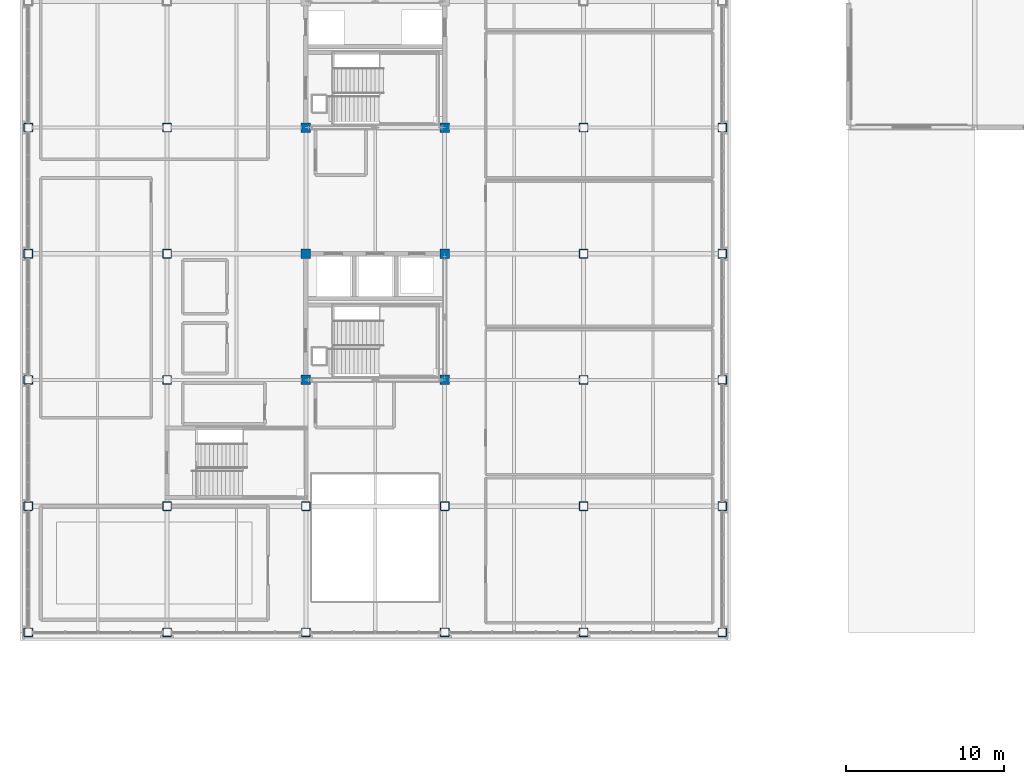
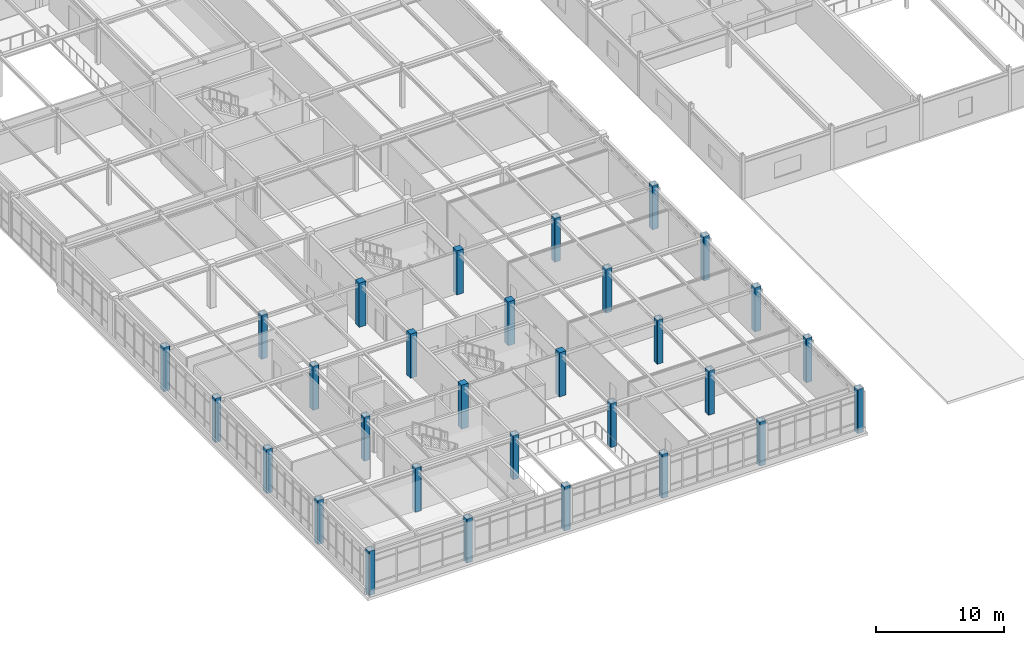
# One storey, part 1 of 88: 30 columns.
"""IFC4 building model written with IfcOpenShell, lengths in metres."""

import ifcopenshell
import ifcopenshell.guid

model = None  # the IFC model being written
_history = None  # IfcOwnerHistory: only IFC2X3 demands one
_inside = {}  # id of a spatial element -> (the spatial element, [elements in it])
_under = {}  # id of a project, library or spatial element -> (it, [spatial elements below it])
_declared = {}  # id of a project -> (the project, [libraries it declares])
_typed = {}  # id of a type object -> (the type object, [elements of that type])
_made_of = {}  # id of a material, layer set ... -> (it, [elements and type objects made of it])


def new_model(schema):
    """Start an empty IFC model of exactly this schema.

    Asked for "IFC4X3", IfcOpenShell would pick the latest addendum, in which some entities
    have other attributes; the version numbers below select the first issue.
    IFC2X3 requires an IfcOwnerHistory on every rooted entity: one is made here for all.
    """
    global model, _history
    if schema == "IFC4X3":
        model = ifcopenshell.file(schema_version=(4, 3, 0, 0))
    else:
        model = ifcopenshell.file(schema=schema)
    _inside.clear()
    _under.clear()
    _declared.clear()
    _typed.clear()
    _made_of.clear()
    _history = None
    if model.schema == "IFC2X3":
        org = make("IfcOrganization", Name="unknown")
        user = make(
            "IfcPersonAndOrganization",
            ThePerson=make("IfcPerson", FamilyName="unknown"),
            TheOrganization=org,
        )
        app = make(
            "IfcApplication",
            ApplicationDeveloper=org,
            Version="unknown",
            ApplicationFullName="unknown",
            ApplicationIdentifier="unknown",
        )
        _history = make(
            "IfcOwnerHistory",
            OwningUser=user,
            OwningApplication=app,
            ChangeAction="ADDED",
            CreationDate=0,
        )
    return model


def make(cls, **values):
    """One entity of the class cls with the attributes given. An attribute that is None is left unset."""
    return model.create_entity(
        cls, **{name: value for name, value in values.items() if value is not None}
    )


def rooted(cls, **values):
    """An entity with a GlobalId (a new one), such as an element, a storey or a relation."""
    return make(cls, GlobalId=ifcopenshell.guid.new(), OwnerHistory=_history, **values)


def si_unit(unit_type, name, prefix=None):
    """IfcSIUnit, for example si_unit("LENGTHUNIT", "METRE", prefix="MILLI")."""
    return make("IfcSIUnit", UnitType=unit_type, Prefix=prefix, Name=name)


def assignment(units):
    """IfcUnitAssignment: the units of a project."""
    return None if units is None else make("IfcUnitAssignment", Units=units)


def point(xyz):
    """IfcCartesianPoint."""
    return None if xyz is None else make("IfcCartesianPoint", Coordinates=xyz)


def direction(xyz):
    """IfcDirection."""
    return None if xyz is None else make("IfcDirection", DirectionRatios=xyz)


def frame(location, z_axis=None, x_axis=None):
    """IfcAxis2Placement3D, a coordinate frame: its origin and axes. An axis left out is left unset."""
    return make(
        "IfcAxis2Placement3D",
        Location=point(location),
        Axis=direction(z_axis),
        RefDirection=direction(x_axis),
    )


def frame_2d(location, x_axis=None):
    """IfcAxis2Placement2D, a coordinate frame in the plane: its origin and x axis."""
    return make(
        "IfcAxis2Placement2D", Location=point(location), RefDirection=direction(x_axis)
    )


def origin():
    """The frame at (0, 0, 0) with its axes left unset."""
    return frame((0.0, 0.0, 0.0))


def origin_2d():
    """The frame at (0, 0) in the plane with its x axis left unset."""
    return frame_2d((0.0, 0.0))


def place(relative_to, where):
    """IfcLocalPlacement: puts the frame where relative to a parent placement (None: the world)."""
    return make(
        "IfcLocalPlacement", PlacementRelTo=relative_to, RelativePlacement=where
    )


def context(
    kind, dimensions, precision=None, world=None, true_north=None, identifier=None
):
    """IfcGeometricRepresentationContext, for example the 3D "Model" context."""
    return make(
        "IfcGeometricRepresentationContext",
        ContextIdentifier=identifier,
        ContextType=kind,
        CoordinateSpaceDimension=dimensions,
        Precision=precision,
        WorldCoordinateSystem=world,
        TrueNorth=true_north,
    )


def subcontext(parent, identifier, kind, view, scale=None):
    """IfcGeometricRepresentationSubContext, for example "Body" below "Model"."""
    return make(
        "IfcGeometricRepresentationSubContext",
        ContextIdentifier=identifier,
        ContextType=kind,
        ParentContext=parent,
        TargetScale=scale,
        TargetView=view,
    )


def project(units=None, contexts=None):
    """IfcProject with its units and contexts."""
    return rooted(
        "IfcProject",
        Name="project",
        RepresentationContexts=contexts,
        UnitsInContext=assignment(units),
    )


def spatial(cls, under=None, at=None, **own):
    """A site, building, storey or space (cls), placed at a placement, below another one or the project."""
    s = rooted(cls, ObjectPlacement=at, **own)
    if under is not None:
        _under.setdefault(under.id(), (under, []))[1].append(s)
    return s


def profile(cls, at=None, kind="AREA", **sizes):
    """A parametric profile (cls). Its sizes go by their IFC names, for example OverallWidth=200.0."""
    return make(cls, ProfileType=kind, Position=at, **sizes)


def rectangle(**sizes):
    """IfcRectangleProfileDef."""
    return profile("IfcRectangleProfileDef", **sizes)


def hollow_rectangle(**sizes):
    """IfcRectangleHollowProfileDef."""
    return profile("IfcRectangleHollowProfileDef", **sizes)


def extrude(swept, where, along, depth):
    """IfcExtrudedAreaSolid: the profile swept, set in the frame where, extruded along a direction by depth."""
    return make(
        "IfcExtrudedAreaSolid",
        SweptArea=swept,
        Position=where,
        ExtrudedDirection=direction(along),
        Depth=depth,
    )


def shape(context_of_items, identifier, shape_type, items):
    """IfcShapeRepresentation: the items that make up one representation, for example the "Body"."""
    return make(
        "IfcShapeRepresentation",
        ContextOfItems=context_of_items,
        RepresentationIdentifier=identifier,
        RepresentationType=shape_type,
        Items=items,
    )


def material(Name=None, Category=None):
    """IfcMaterial."""
    return make("IfcMaterial", Name=Name, Category=Category)


def material_profile(
    of_material, cross_section, Name=None, Category=None, Priority=None
):
    """IfcMaterialProfile: a cross section and its material."""
    return make(
        "IfcMaterialProfile",
        Name=Name,
        Material=of_material,
        Profile=cross_section,
        Priority=Priority,
        Category=Category,
    )


def profile_set(profiles, Name=None, composite=None):
    """IfcMaterialProfileSet."""
    return make(
        "IfcMaterialProfileSet",
        Name=Name,
        MaterialProfiles=profiles,
        CompositeProfile=composite,
    )


def made_of(thing, what):
    """Note that an element or type object is made of a material, layer set ...; save() writes the relation."""
    if what is not None:
        _made_of.setdefault(what.id(), (what, []))[1].append(thing)
    return thing


def type_object(cls, material=None, **own):
    """A type object (cls), such as IfcWallType, which elements share."""
    return made_of(rooted(cls, **own), material)


def element(
    cls,
    number,
    at=None,
    inside=None,
    cuts=None,
    type_object=None,
    material=None,
    context=None,
    identifier="Body",
    shape_type=None,
    held_by="IfcProductDefinitionShape",
    body=None,
    shapes=None,
    **own,
):
    """One element of the class cls, such as IfcWall. Its Tag is "e" and its number.

    at: its placement. inside: the storey or other place that contains it. cuts: it is an
    opening in that element (IfcRelVoidsElement). A single representation is given by context,
    identifier, shape_type and body (its items); several are given by shapes. held_by: the class
    of the entity that holds the representations. save() writes the other relations.
    """
    e = rooted(cls, Tag="e%d" % number, ObjectPlacement=at, **own)
    if body is not None:
        shapes = [shape(context, identifier, shape_type, body)]
    if shapes is not None:
        e.Representation = make(held_by, Representations=shapes)
    if inside is not None:
        _inside.setdefault(inside.id(), (inside, []))[1].append(e)
    if cuts is not None:
        rooted(
            "IfcRelVoidsElement", RelatingBuildingElement=cuts, RelatedOpeningElement=e
        )
    if type_object is not None:
        _typed.setdefault(type_object.id(), (type_object, []))[1].append(e)
    return made_of(e, material)


def aggregate(whole, parts):
    """IfcRelAggregates: a whole, such as a stair, and the parts it consists of."""
    return rooted("IfcRelAggregates", RelatingObject=whole, RelatedObjects=parts)


def save(model, path):
    """Write the relations noted so far, then the file.

    IfcRelAggregates (storeys below a building ...), IfcRelContainedInSpatialStructure (elements
    in a storey), IfcRelDefinesByType, IfcRelAssociatesMaterial and IfcRelDeclares: one each for
    every whole, place, type object, material and project.
    """
    for whole, parts in _under.values():
        aggregate(whole, parts)
    for where, things in _inside.values():
        rooted(
            "IfcRelContainedInSpatialStructure",
            RelatedElements=things,
            RelatingStructure=where,
        )
    for kind, things in _typed.values():
        rooted("IfcRelDefinesByType", RelatedObjects=things, RelatingType=kind)
    for what, things in _made_of.values():
        rooted("IfcRelAssociatesMaterial", RelatedObjects=things, RelatingMaterial=what)
    for by, libraries in _declared.values():
        rooted("IfcRelDeclares", RelatingContext=by, RelatedDefinitions=libraries)
    model.write(path)


model = new_model("IFC4")

# Units and contexts
model_context = context("Model", 3, precision=1e-05, world=origin(), true_north=direction((0.0, 1.0)))
body_context = subcontext(model_context, "Body", "Model", "MODEL_VIEW")
ifc_project = project(units=[si_unit("LENGTHUNIT", "METRE"), si_unit("AREAUNIT", "SQUARE_METRE"), si_unit("VOLUMEUNIT", "CUBIC_METRE"), si_unit("PLANEANGLEUNIT", "RADIAN"), si_unit("MASSUNIT", "GRAM", prefix="KILO")], contexts=[model_context])

# Site, building, storey
site_placement = place(None, origin())
site = spatial("IfcSite", under=ifc_project, at=site_placement, CompositionType="ELEMENT")
building_placement = place(site_placement, origin())
building = spatial("IfcBuilding", under=site, at=building_placement, Name="Zhaolan Boulevard Law Courts", CompositionType="ELEMENT")
storey_placement = place(building_placement, frame((0.0, 0.0, 16.199951171875)))
storey = spatial("IfcBuildingStorey", under=building, at=storey_placement, Name="L03", CompositionType="ELEMENT", Elevation=16.199951171875)

# Columns
ifc_material_1 = material(Name="Structural steel Q390B", Category="steel")
ifc_material_profile_1 = material_profile(ifc_material_1, hollow_rectangle(XDim=0.550048828125, YDim=0.550048828125, WallThickness=0.02197265625, InnerFilletRadius=0.02197265625, OuterFilletRadius=0.0439453125, at=origin_2d()), Name="BOX550x550x22")
ifc_profile_set_1 = profile_set([ifc_material_profile_1], Name="Structural steel Q390B")
column_type_1 = type_object("IfcColumnType", Name="COL BOX550", PredefinedType="COLUMN", material=ifc_profile_set_1)
for number, where, z_axis, x_axis, name in (
    (1, (0.0, 30.0, 0.0), (0.0, 0.0, 1.0), (1.0, 0.0, 0.0), "Column C-1E (L03)"),
    (2, (0.0, 38.0, 0.0), (0.0, 0.0, 1.0), (1.0, 0.0, 0.0), "Column C-1F (L03)"),
    (3, (0.0, 46.0, 0.0), (0.0, 0.0, 1.0), (1.0, 0.0, 0.0), "Column C-1G (L03)"),
    (4, (0.0, 54.0, 0.0), (0.0, 0.0, 1.0), (1.0, 0.0, 0.0), "Column C-1H (L03)"),
    (5, (0.0, 62.0, 0.0), (0.0, 0.0, 1.0), (1.0, 0.0, 0.0), "Column C-1J (L03)"),
    (6, (8.800048828125, 30.0, 0.0), (0.0, 0.0, 1.0), (1.0, 0.0, 0.0), "Column C-2E (L03)"),
    (7, (8.800048828125, 38.0, 0.0), (0.0, 0.0, 1.0), (1.0, 0.0, 0.0), "Column C-2F (L03)"),
    (8, (8.800048828125, 46.0, 0.0), (0.0, 0.0, 1.0), (1.0, 0.0, 0.0), "Column C-2G (L03)"),
    (9, (8.800048828125, 54.0, 0.0), (0.0, 0.0, 1.0), (1.0, 0.0, 0.0), "Column C-2H (L03)"),
    (10, (8.800048828125, 62.0, 0.0), (0.0, 0.0, 1.0), (1.0, 0.0, 0.0), "Column C-2J (L03)"),
    (11, (17.60009765625, 30.0, 0.0), (0.0, 0.0, 1.0), (1.0, 0.0, 0.0), "Column C-3E (L03)"),
    (12, (17.60009765625, 38.0, 0.0), (0.0, 0.0, 1.0), (1.0, 0.0, 0.0), "Column C-3F (L03)"),
    (13, (26.39990234375, 30.0, 0.0), (0.0, 0.0, 1.0), (1.0, 0.0, 0.0), "Column C-4E (L03)"),
    (14, (26.39990234375, 38.0, 0.0), (0.0, 0.0, 1.0), (1.0, 0.0, 0.0), "Column C-4F (L03)"),
    (15, (35.199951171875, 30.0, 0.0), (0.0, 0.0, 1.0), (1.0, 0.0, 0.0), "Column C-5E (L03)"),
    (16, (35.199951171875, 38.0, 0.0), (0.0, 0.0, 1.0), (1.0, 0.0, 0.0), "Column C-5F (L03)"),
    (17, (35.199951171875, 46.0, 0.0), (0.0, 0.0, 1.0), (1.0, 0.0, 0.0), "Column C-5G (L03)"),
    (18, (35.199951171875, 54.0, 0.0), (0.0, 0.0, 1.0), (1.0, 0.0, 0.0), "Column C-5H (L03)"),
    (19, (35.199951171875, 62.0, 0.0), (0.0, 0.0, 1.0), (1.0, 0.0, 0.0), "Column C-5J (L03)"),
    (20, (44.0, 30.0, 0.0), (0.0, 0.0, 1.0), (1.0, 0.0, 0.0), "Column C-6E (L03)"),
    (21, (44.0, 38.0, 0.0), (0.0, 0.0, 1.0), (1.0, 0.0, 0.0), "Column C-6F (L03)"),
    (22, (44.0, 46.0, 0.0), (0.0, 0.0, 1.0), (1.0, 0.0, 0.0), "Column C-6G (L03)"),
    (23, (44.0, 54.0, 0.0), (0.0, 0.0, 1.0), (1.0, 0.0, 0.0), "Column C-6H (L03)"),
    (24, (44.0, 62.0, 0.0), (0.0, 0.0, 1.0), (1.0, 0.0, 0.0), "Column C-6J (L03)"),
):
    element("IfcColumn", number, at=place(storey_placement, frame(where, z_axis=z_axis, x_axis=x_axis)), inside=storey, type_object=column_type_1, Name=name, PredefinedType="COLUMN", context=body_context, shape_type="SweptSolid", body=[
        extrude(hollow_rectangle(XDim=0.550048828125, YDim=0.550048828125, WallThickness=0.02197265625, InnerFilletRadius=0.02197265625, OuterFilletRadius=0.0439453125, at=origin_2d()), origin(), (0.0, 0.0, 1.0), 4.199951171875),
    ])
ifc_material_2 = material(Name="Concrete C50", Category="concrete")
ifc_material_profile_2 = material_profile(ifc_material_2, rectangle(XDim=0.60009765625, YDim=0.60009765625, at=origin_2d()), Name="RC600x600")
ifc_profile_set_2 = profile_set([ifc_material_profile_2], Name="Concrete C50")
column_type_2 = type_object("IfcColumnType", Name="COL RC600", PredefinedType="COLUMN", material=ifc_profile_set_2)
for number, where, z_axis, x_axis, name in (
    (25, (17.60009765625, 46.0, 0.0), (0.0, 0.0, 1.0), (1.0, 0.0, 0.0), "Column C-3G (L03)"),
    (26, (17.60009765625, 54.0, 0.0), (0.0, 0.0, 1.0), (1.0, 0.0, 0.0), "Column C-3H (L03)"),
    (27, (17.60009765625, 62.0, 0.0), (0.0, 0.0, 1.0), (1.0, 0.0, 0.0), "Column C-3J (L03)"),
    (28, (26.39990234375, 46.0, 0.0), (0.0, 0.0, 1.0), (1.0, 0.0, 0.0), "Column C-4G (L03)"),
    (29, (26.39990234375, 54.0, 0.0), (0.0, 0.0, 1.0), (1.0, 0.0, 0.0), "Column C-4H (L03)"),
    (30, (26.39990234375, 62.0, 0.0), (0.0, 0.0, 1.0), (1.0, 0.0, 0.0), "Column C-4J (L03)"),
):
    element("IfcColumn", number, at=place(storey_placement, frame(where, z_axis=z_axis, x_axis=x_axis)), inside=storey, type_object=column_type_2, Name=name, PredefinedType="COLUMN", context=body_context, shape_type="SweptSolid", body=[
        extrude(rectangle(XDim=0.60009765625, YDim=0.60009765625, at=origin_2d()), origin(), (0.0, 0.0, 1.0), 4.199951171875),
    ])

save(model, "model.ifc")
